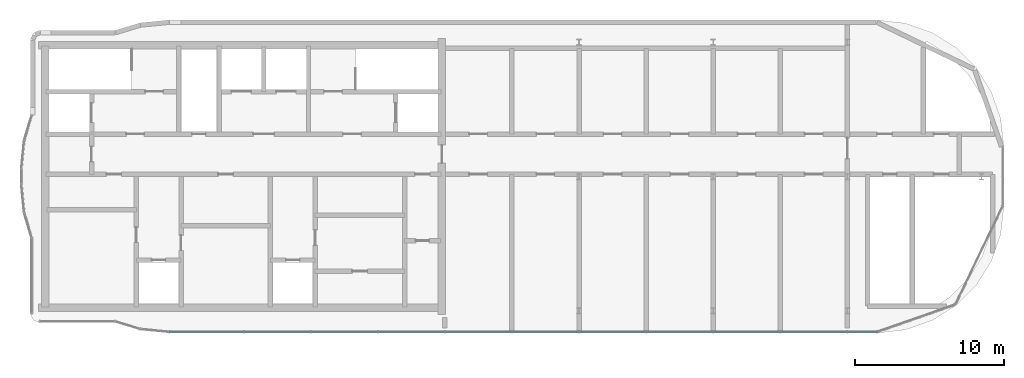
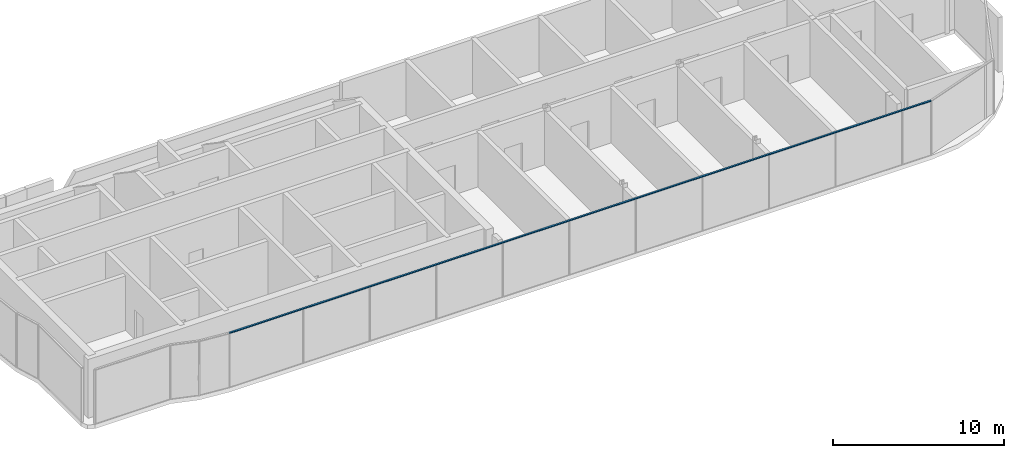
# One storey, part 4 of 9: 1 member, 1 element without a shape of its own.
"""IFC4 building model written with IfcOpenShell, lengths in metres."""

from ifc_helpers import new_model, si_unit, direction, frame, origin, origin_2d, place, context, subcontext, project, spatial, rectangle, extrude, material, material_profile, profile_set, type_object, element, aggregate, save


model = new_model("IFC4")

# Units and contexts
model_context = context("Model", 3, precision=1e-05, world=origin(), true_north=direction((0.0, 1.0)))
body_context = subcontext(model_context, "Body", "Model", "MODEL_VIEW")
ifc_project = project(units=[si_unit("LENGTHUNIT", "METRE"), si_unit("AREAUNIT", "SQUARE_METRE"), si_unit("VOLUMEUNIT", "CUBIC_METRE"), si_unit("PLANEANGLEUNIT", "RADIAN"), si_unit("MASSUNIT", "GRAM", prefix="KILO")], contexts=[model_context])

# Site, building, storey
site_placement = place(None, origin())
site = spatial("IfcSite", under=ifc_project, at=site_placement, CompositionType="ELEMENT")
building_placement = place(site_placement, origin())
building = spatial("IfcBuilding", under=site, at=building_placement, Name="Ogive Portal Towers", CompositionType="ELEMENT")
storey_placement = place(building_placement, frame((0.0, 0.0, 281.300048828125)))
storey = spatial("IfcBuildingStorey", under=building, at=storey_placement, Name="L68", CompositionType="ELEMENT", Elevation=281.300048828125)

# Curtain wall, member
ifc_material_1 = material(Name="Glass, clear low-iron insulated glazing", Category="glass")
curtain_wall_type = type_object("IfcCurtainWallType", Name="CW CROWN GLAZING", PredefinedType="NOTDEFINED", material=ifc_material_1)
curtain_wall_placement = place(storey_placement, origin())
curtain_wall = element("IfcCurtainWall", 1, at=curtain_wall_placement, inside=storey, type_object=curtain_wall_type, Name="A:L68:c06:cw", PredefinedType="NOTDEFINED")
ifc_material_2 = material(Name="Aluminium 6063 anodised", Category="aluminium")
ifc_material_profile = material_profile(ifc_material_2, rectangle(XDim=0.1201171875, YDim=0.06005859375, at=origin_2d()), Name="AL 120x60")
ifc_profile_set = profile_set([ifc_material_profile], Name="Aluminium 6063 anodised")
member_type = type_object("IfcMemberType", Name="CW TRANSOM 60x120", PredefinedType="USERDEFINED", material=ifc_profile_set)
member_placement = place(storey_placement, frame((40.00390625, 20.080078125, 3.869873046875), z_axis=(1.0, 0.0, 0.0), x_axis=(0.0, 1.0, 0.0)))
member = element("IfcMember", 2, at=member_placement, type_object=member_type, Name="transom", ObjectType="TRANSOM", PredefinedType="USERDEFINED", context=body_context, shape_type="SweptSolid", body=[
    extrude(rectangle(XDim=0.1201171875, YDim=0.06005859375, at=origin_2d()), origin(), (0.0, 0.0, 1.0), 47.482421875),
])
aggregate(curtain_wall, [member])

save(model, "model.ifc")
